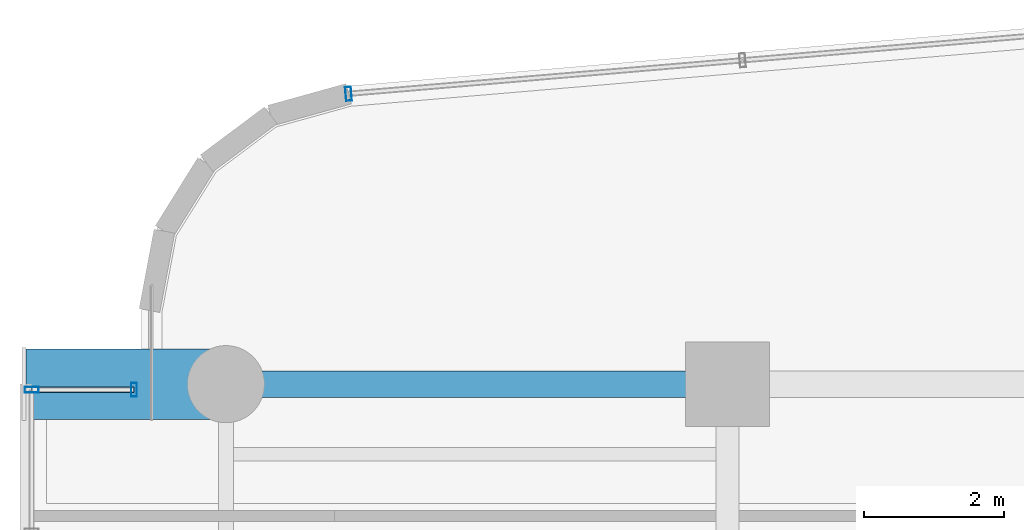
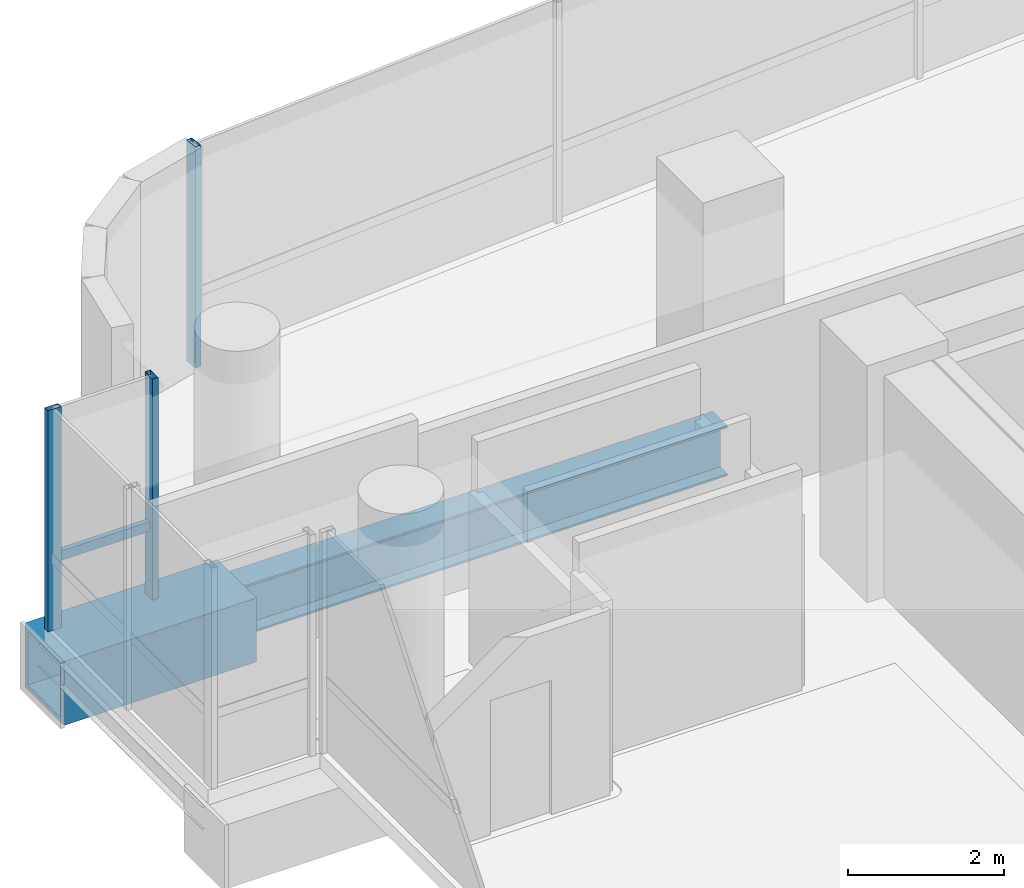
# One storey, part 19 of 34: 4 members, 2 beams, 3 elements without a shape of their own.
"""IFC4 building model written with IfcOpenShell, lengths in metres."""

from ifc_helpers import new_model, si_unit, direction, frame, origin, origin_2d, place, context, subcontext, project, spatial, hollow_rectangle, i_section, extrude, source, transform, mapped, material, material_profile, profile_set, type_object, element, aggregate, save


model = new_model("IFC4")

# Units and contexts
model_context = context("Model", 3, precision=1e-05, world=origin(), true_north=direction((0.0, 1.0)))
body_context = subcontext(model_context, "Body", "Model", "MODEL_VIEW")
ifc_project = project(units=[si_unit("LENGTHUNIT", "METRE"), si_unit("AREAUNIT", "SQUARE_METRE"), si_unit("VOLUMEUNIT", "CUBIC_METRE"), si_unit("PLANEANGLEUNIT", "RADIAN"), si_unit("MASSUNIT", "GRAM", prefix="KILO")], contexts=[model_context])

# Site, building, storey
site_placement = place(None, origin())
site = spatial("IfcSite", under=ifc_project, at=site_placement, CompositionType="ELEMENT")
building_placement = place(site_placement, origin())
building = spatial("IfcBuilding", under=site, at=building_placement, Name="Valdorenza Pilgrim Sanctuary Tower", CompositionType="ELEMENT")
storey_placement = place(building_placement, frame((0.0, 0.0, 120.5)))
storey = spatial("IfcBuildingStorey", under=building, at=storey_placement, Name="L30", CompositionType="ELEMENT", Elevation=120.5)

# Beams
ifc_material_1 = material(Name="Steel ASTM A992 Grade 50", Category="steel")
ifc_material_profile_1 = material_profile(ifc_material_1, i_section(OverallWidth=0.382080078125, OverallDepth=0.779052734375, WebThickness=0.01806640625, FlangeThickness=0.030029296875, at=origin_2d()), Name="W30X191")
ifc_profile_set_1 = profile_set([ifc_material_profile_1], Name="Steel ASTM A992 Grade 50")
beam_type_1 = type_object("IfcBeamType", Name="STR-BM-GRD-W30", PredefinedType="BEAM", material=ifc_profile_set_1)
shared_shape_1 = source(origin(), body_context, "Body", "SweptSolid", [
    extrude(i_section(OverallWidth=0.382080078125, OverallDepth=0.779052734375, WebThickness=0.01806640625, FlangeThickness=0.030029296875, at=origin_2d()), origin(), (0.0, 0.0, 1.0), 7.150146484375),
])
beam_1_placement = place(storey_placement, frame((-29.800048828125, 14.800048828125, -0.62939453125), z_axis=(1.0, 0.0, 0.0), x_axis=(0.0, 1.0, 0.0)))
element("IfcBeam", 1, at=beam_1_placement, inside=storey, type_object=beam_type_1, Name="L30 Floor Girder WA-XW-N2", PredefinedType="BEAM", context=body_context, shape_type="MappedRepresentation", body=[
    mapped(shared_shape_1, transform((0.0, 0.0, 0.0), x_axis=(1.0, 0.0, 0.0), y_axis=(0.0, 1.0, 0.0), z_axis=(0.0, 0.0, 1.0), scale=1.0)),
])
ifc_material_2 = material(Name="Steel ASTM A572 Grade 42", Category="steel")
ifc_material_profile_2 = material_profile(ifc_material_2, hollow_rectangle(XDim=1.0, YDim=1.0, WallThickness=0.080078125, at=origin_2d()), Name="BOX 1000x1000x80")
ifc_profile_set_2 = profile_set([ifc_material_profile_2], Name="Steel ASTM A572 Grade 42")
beam_type_2 = type_object("IfcBeamType", Name="STR-BM-PROW-CANT", PredefinedType="BEAM", material=ifc_profile_set_2)
shared_shape_2 = source(origin(), body_context, "Body", "SweptSolid", [
    extrude(hollow_rectangle(XDim=1.0, YDim=1.0, WallThickness=0.080078125, at=origin_2d()), origin(), (0.0, 0.0, 1.0), 2.849853515625),
])
beam_2_placement = place(storey_placement, frame((-29.800048828125, 14.800048828125, -0.739990234375), z_axis=(-1.0, 0.0, 0.0), x_axis=(0.0, -1.0, 0.0)))
element("IfcBeam", 2, at=beam_2_placement, inside=storey, type_object=beam_type_2, Name="L30 Glass Box Cantilever Beam BOX-WA-L30-CT-N", PredefinedType="BEAM", context=body_context, shape_type="MappedRepresentation", body=[
    mapped(shared_shape_2, transform((0.0, 0.0, 0.0), x_axis=(1.0, 0.0, 0.0), y_axis=(0.0, 1.0, 0.0), z_axis=(0.0, 0.0, 1.0), scale=1.0)),
])

# Curtain wall, member
ifc_material_3 = material(Name="Curtain-wall IGU glazing", Category="glass")
curtain_wall_type = type_object("IfcCurtainWallType", Name="CW-SYS-02", PredefinedType="NOTDEFINED", material=ifc_material_3)
curtain_wall_1_placement = place(storey_placement, origin())
curtain_wall_1 = element("IfcCurtainWall", 3, at=curtain_wall_1_placement, inside=storey, type_object=curtain_wall_type, Name="L30 Curtain Wall CW-L30-1-6", PredefinedType="NOTDEFINED")
ifc_material_4 = material(Name="Anodised aluminium AW-6060", Category="aluminium")
ifc_material_profile_3 = material_profile(ifc_material_4, hollow_rectangle(XDim=0.0849609375, YDim=0.199951171875, WallThickness=0.0048828125, at=origin_2d()), Name="ALU-M 200x85x5")
ifc_profile_set_3 = profile_set([ifc_material_profile_3], Name="Anodised aluminium AW-6060")
member_type_1 = type_object("IfcMemberType", Name="CW-MUL-02", PredefinedType="MULLION", material=ifc_profile_set_3)
shared_shape_3 = source(origin(), body_context, "Body", "SweptSolid", [
    extrude(hollow_rectangle(XDim=0.0849609375, YDim=0.199951171875, WallThickness=0.0048828125, at=origin_2d()), origin(), (0.0, 0.0, 1.0), 3.4599609375),
])
member_1_placement = place(storey_placement, frame((-28.051513671875, 18.940185546875, 0.0), z_axis=(0.0, 0.0, 1.0), x_axis=(0.99640764237, 0.084686541006, 0.0)))
member_1 = element("IfcMember", 4, at=member_1_placement, type_object=member_type_1, Name="CW-L30-1-6 Mullion 1", PredefinedType="MULLION", context=body_context, shape_type="MappedRepresentation", body=[
    mapped(shared_shape_3, transform((0.0, 0.0, 0.0), x_axis=(1.0, 0.0, 0.0), y_axis=(0.0, 1.0, 0.0), z_axis=(0.0, 0.0, 1.0), scale=1.0)),
])
aggregate(curtain_wall_1, [member_1])

curtain_wall_2_placement = place(storey_placement, origin())
curtain_wall_2 = element("IfcCurtainWall", 5, at=curtain_wall_2_placement, inside=storey, type_object=curtain_wall_type, Name="L30 Curtain Wall CW-L30-BOX-WA-L30-F", PredefinedType="NOTDEFINED")
member_2_placement = place(storey_placement, frame((-32.570068359375, 14.719970703125, 0.0), z_axis=(0.0, 0.0, 1.0), x_axis=(0.0, 1.0, 0.0)))
member_2 = element("IfcMember", 6, at=member_2_placement, type_object=member_type_1, Name="CW-L30-BOX-WA-L30-F Mullion 3", PredefinedType="MULLION", context=body_context, shape_type="MappedRepresentation", body=[
    mapped(shared_shape_3, transform((0.0, 0.0, 0.0), x_axis=(1.0, 0.0, 0.0), y_axis=(0.0, 1.0, 0.0), z_axis=(0.0, 0.0, 1.0), scale=1.0)),
])
aggregate(curtain_wall_2, [member_2])

# Curtain wall, members
curtain_wall_3_placement = place(storey_placement, origin())
curtain_wall_3 = element("IfcCurtainWall", 7, at=curtain_wall_3_placement, inside=storey, type_object=curtain_wall_type, Name="L30 Curtain Wall CW-L30-BOX-WA-L30-N", PredefinedType="NOTDEFINED")
member_3_placement = place(storey_placement, frame((-31.110107421875, 14.719970703125, 0.0), z_axis=(0.0, 0.0, 1.0), x_axis=(1.0, 0.0, 0.0)))
member_3 = element("IfcMember", 8, at=member_3_placement, type_object=member_type_1, Name="CW-L30-BOX-WA-L30-N Mullion 2", PredefinedType="MULLION", context=body_context, shape_type="MappedRepresentation", body=[
    mapped(shared_shape_3, transform((0.0, 0.0, 0.0), x_axis=(1.0, 0.0, 0.0), y_axis=(0.0, 1.0, 0.0), z_axis=(0.0, 0.0, 1.0), scale=1.0)),
])
ifc_material_profile_4 = material_profile(ifc_material_4, hollow_rectangle(XDim=0.074951171875, YDim=0.14990234375, WallThickness=0.00390625, at=origin_2d()), Name="ALU-T 150x75x4")
ifc_profile_set_4 = profile_set([ifc_material_profile_4], Name="Anodised aluminium AW-6060")
member_type_2 = type_object("IfcMemberType", Name="CW-TRN-02", PredefinedType="USERDEFINED", material=ifc_profile_set_4)
shared_shape_4 = source(origin(), body_context, "Body", "SweptSolid", [
    extrude(hollow_rectangle(XDim=0.074951171875, YDim=0.14990234375, WallThickness=0.00390625, at=origin_2d()), origin(), (0.0, 0.0, 1.0), 1.4599609375),
])
member_4_placement = place(storey_placement, frame((-32.570068359375, 14.719970703125, 1.1201171875), z_axis=(1.0, 0.0, 0.0), x_axis=(0.0, 1.0, 0.0)))
member_4 = element("IfcMember", 9, at=member_4_placement, type_object=member_type_2, Name="CW-L30-BOX-WA-L30-N Transom 1", ObjectType="TRANSOM", PredefinedType="USERDEFINED", context=body_context, shape_type="MappedRepresentation", body=[
    mapped(shared_shape_4, transform((0.0, 0.0, 0.0), x_axis=(1.0, 0.0, 0.0), y_axis=(0.0, 1.0, 0.0), z_axis=(0.0, 0.0, 1.0), scale=1.0)),
])
aggregate(curtain_wall_3, [member_3, member_4])

save(model, "model.ifc")
